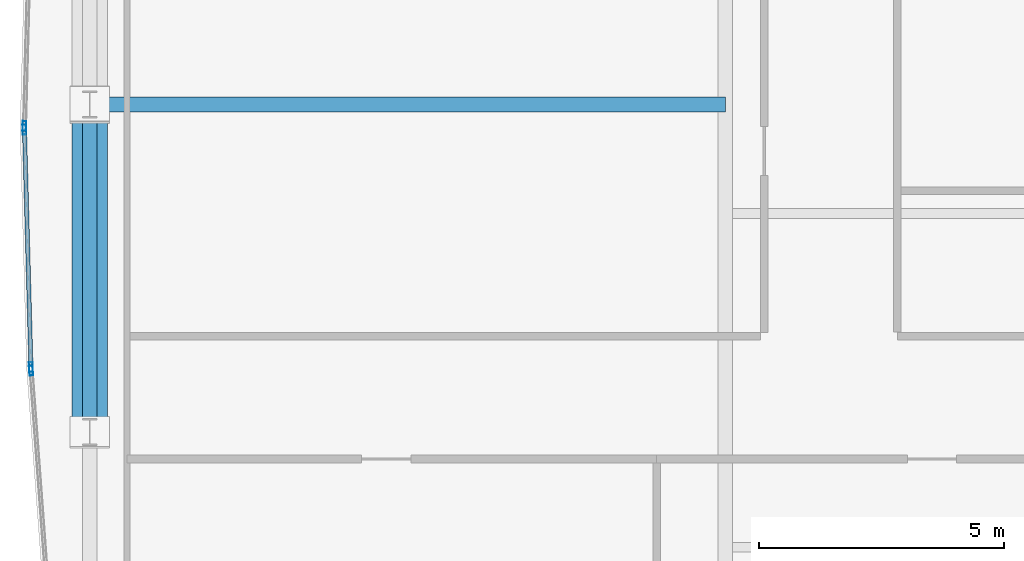
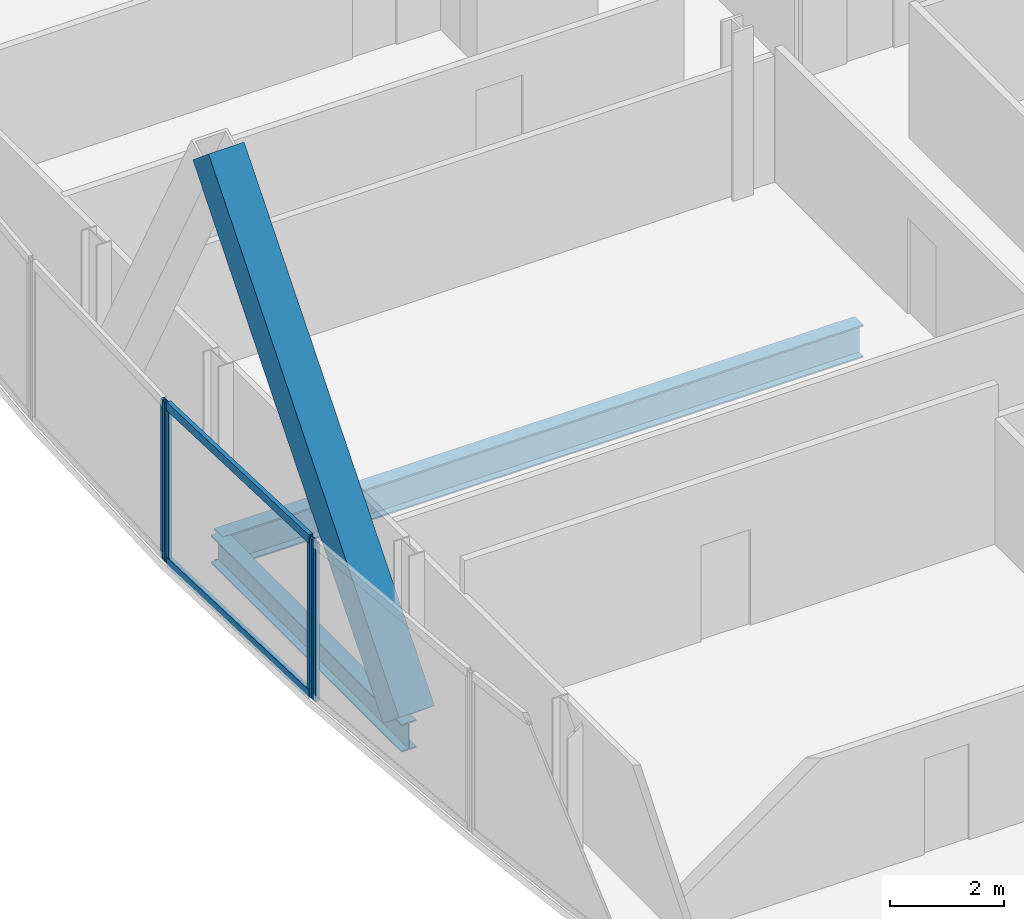
# One storey, part 10 of 29: 7 members, 2 beams, 3 elements without a shape of their own.
"""IFC4 building model written with IfcOpenShell, lengths in metres."""

from ifc_helpers import new_model, si_unit, direction, frame, origin, origin_2d, place, context, subcontext, project, spatial, hollow_rectangle, i_section, extrude, material, material_profile, profile_set, type_object, element, aggregate, save


model = new_model("IFC4")

# Units and contexts
model_context = context("Model", 3, precision=1e-05, world=origin(), true_north=direction((0.0, 1.0)))
body_context = subcontext(model_context, "Body", "Model", "MODEL_VIEW")
ifc_project = project(units=[si_unit("LENGTHUNIT", "METRE"), si_unit("AREAUNIT", "SQUARE_METRE"), si_unit("VOLUMEUNIT", "CUBIC_METRE"), si_unit("PLANEANGLEUNIT", "RADIAN"), si_unit("MASSUNIT", "GRAM", prefix="KILO")], contexts=[model_context])

# Site, building, storey
site_placement = place(None, origin())
site = spatial("IfcSite", under=ifc_project, at=site_placement, CompositionType="ELEMENT")
building_placement = place(site_placement, origin())
building = spatial("IfcBuilding", under=site, at=building_placement, Name="Khoronbel Lancet Exchange", CompositionType="ELEMENT")
storey_placement = place(building_placement, frame((0.0, 0.0, 180.60009765625)))
storey = spatial("IfcBuildingStorey", under=building, at=storey_placement, Name="L45", CompositionType="ELEMENT", Elevation=180.60009765625)

# Beams
ifc_material_1 = material(Name="Steel S355", Category="steel")
ifc_material_profile_1 = material_profile(ifc_material_1, i_section(OverallWidth=0.300048828125, OverallDepth=0.699951171875, WebThickness=0.01708984375, FlangeThickness=0.031982421875, at=origin_2d()), Name="HEB 700")
ifc_profile_set_1 = profile_set([ifc_material_profile_1], Name="Steel S355")
beam_type_1 = type_object("IfcBeamType", Name="BM-BG3", PredefinedType="BEAM", material=ifc_profile_set_1)
beam_1_placement = place(storey_placement, frame((5.27001953125, 31.425048828125, -0.510009765625), z_axis=(1.0, 0.0, 0.0), x_axis=(0.0, 1.0, 0.0)))
element("IfcBeam", 1, at=beam_1_placement, inside=storey, type_object=beam_type_1, Name="Level L45 west lens tie girder LG2W", PredefinedType="BEAM", context=body_context, shape_type="SweptSolid", body=[
    extrude(i_section(OverallWidth=0.300048828125, OverallDepth=0.699951171875, WebThickness=0.01708984375, FlangeThickness=0.031982421875, at=origin_2d()), origin(), (0.0, 0.0, 1.0), 12.955078125),
])
ifc_material_profile_2 = material_profile(ifc_material_1, i_section(OverallWidth=0.300048828125, OverallDepth=0.60009765625, WebThickness=0.015380859375, FlangeThickness=0.030029296875, at=origin_2d()), Name="HEB 600")
ifc_profile_set_2 = profile_set([ifc_material_profile_2], Name="Steel S355")
beam_type_2 = type_object("IfcBeamType", Name="BM-BSP2", PredefinedType="SPANDREL", material=ifc_profile_set_2)
beam_2_placement = place(storey_placement, frame((5.27001953125, 31.425048828125, -0.460205078125), z_axis=(0.0, -1.0, 0.0), x_axis=(1.0, 0.0, 0.0)))
element("IfcBeam", 2, at=beam_2_placement, inside=storey, type_object=beam_type_2, Name="Level L45 perimeter spandrel beam SP19", PredefinedType="SPANDREL", context=body_context, shape_type="SweptSolid", body=[
    extrude(i_section(OverallWidth=0.300048828125, OverallDepth=0.60009765625, WebThickness=0.015380859375, FlangeThickness=0.030029296875, at=origin_2d()), origin(), (0.0, 0.0, 1.0), 6.675048828125),
])

# Curtain wall, member
ifc_material_2 = material(Name="Low-E Solar Control Insulating Glass", Category="glass")
curtain_wall_type = type_object("IfcCurtainWallType", Name="CW-4", PredefinedType="NOTDEFINED", material=ifc_material_2)
curtain_wall_1_placement = place(storey_placement, origin())
curtain_wall_1 = element("IfcCurtainWall", 3, at=curtain_wall_1_placement, inside=storey, type_object=curtain_wall_type, Name="Unitised curtain wall CW-L45-E05", PredefinedType="NOTDEFINED")
ifc_material_3 = material(Name="Bronze-Anodised Aluminium 6063-T6", Category="aluminium")
ifc_material_profile_3 = material_profile(ifc_material_3, hollow_rectangle(XDim=0.074951171875, YDim=0.199951171875, WallThickness=0.0048828125, at=origin_2d()), Name="ALU MULLION 75x200")
ifc_profile_set_3 = profile_set([ifc_material_profile_3], Name="Bronze-Anodised Aluminium 6063-T6")
member_type_1 = type_object("IfcMemberType", Name="MEM-CWM2", PredefinedType="MULLION", material=ifc_profile_set_3)
member_1_placement = place(storey_placement, frame((4.07666015625, 26.00048828125, 0.0), z_axis=(0.0, 0.0, 1.0), x_axis=(-0.99723999443, -0.074245494873, 0.0)))
member_1 = element("IfcMember", 4, at=member_1_placement, type_object=member_type_1, Name="CW4 mullion 2", PredefinedType="MULLION", context=body_context, shape_type="SweptSolid", body=[
    extrude(hollow_rectangle(XDim=0.074951171875, YDim=0.199951171875, WallThickness=0.0048828125, at=origin_2d()), origin(), (0.0, 0.0, 1.0), 3.39990234375),
])
aggregate(curtain_wall_1, [member_1])

# Curtain wall, members
curtain_wall_2_placement = place(storey_placement, origin())
curtain_wall_2 = element("IfcCurtainWall", 5, at=curtain_wall_2_placement, inside=storey, type_object=curtain_wall_type, Name="Unitised curtain wall CW-L45-E06", PredefinedType="NOTDEFINED")
member_2_placement = place(storey_placement, frame((4.072998046875, 26.075439453125, 0.0), z_axis=(0.0, 0.0, 1.0), x_axis=(-0.99962867447, -0.027249094987, 0.0)))
member_2 = element("IfcMember", 6, at=member_2_placement, type_object=member_type_1, Name="CW4 mullion 1", PredefinedType="MULLION", context=body_context, shape_type="SweptSolid", body=[
    extrude(hollow_rectangle(XDim=0.074951171875, YDim=0.199951171875, WallThickness=0.0048828125, at=origin_2d()), origin(), (0.0, 0.0, 1.0), 3.39990234375),
])
member_3_placement = place(storey_placement, frame((3.94091796875, 30.91259765625, 0.0), z_axis=(0.0, 0.0, 1.0), x_axis=(-0.99962867447, -0.027249094987, 0.0)))
member_3 = element("IfcMember", 7, at=member_3_placement, type_object=member_type_1, Name="CW4 mullion 2", PredefinedType="MULLION", context=body_context, shape_type="SweptSolid", body=[
    extrude(hollow_rectangle(XDim=0.074951171875, YDim=0.199951171875, WallThickness=0.0048828125, at=origin_2d()), origin(), (0.0, 0.0, 1.0), 3.39990234375),
])

# Curtain wall, member
curtain_wall_3_placement = place(storey_placement, origin())
curtain_wall_3 = element("IfcCurtainWall", 8, at=curtain_wall_3_placement, inside=storey, type_object=curtain_wall_type, Name="Unitised curtain wall CW-L45-E07", PredefinedType="NOTDEFINED")
member_4_placement = place(storey_placement, frame((3.94091796875, 30.987548828125, 0.0), z_axis=(0.0, 0.0, 1.0), x_axis=(-0.99962867447, 0.027249094987, 0.0)))
member_4 = element("IfcMember", 9, at=member_4_placement, type_object=member_type_1, Name="CW4 mullion 1", PredefinedType="MULLION", context=body_context, shape_type="SweptSolid", body=[
    extrude(hollow_rectangle(XDim=0.074951171875, YDim=0.199951171875, WallThickness=0.0048828125, at=origin_2d()), origin(), (0.0, 0.0, 1.0), 3.39990234375),
])
aggregate(curtain_wall_3, [member_4])

# Member
ifc_material_profile_4 = material_profile(ifc_material_3, hollow_rectangle(XDim=0.0849609375, YDim=0.179931640625, WallThickness=0.0048828125, at=origin_2d()), Name="ALU TRANSOM 85x180")
ifc_profile_set_4 = profile_set([ifc_material_profile_4], Name="Bronze-Anodised Aluminium 6063-T6")
member_type_2 = type_object("IfcMemberType", Name="MEM-CWT1", PredefinedType="USERDEFINED", material=ifc_profile_set_4)
member_5_placement = place(storey_placement, frame((4.07177734375, 26.11279296875, 0.04248046875), z_axis=(-0.027212312017, 0.999629676468, 0.0), x_axis=(-0.999629676468, -0.027212312017, 0.0)))
member_5 = element("IfcMember", 10, at=member_5_placement, type_object=member_type_2, Name="CW4 transom 1.1", ObjectType="TRANSOM", PredefinedType="USERDEFINED", context=body_context, shape_type="SweptSolid", body=[
    extrude(hollow_rectangle(XDim=0.0849609375, YDim=0.179931640625, WallThickness=0.0048828125, at=origin_2d()), origin(), (0.0, 0.0, 1.0), 4.763916015625),
])

member_6_placement = place(storey_placement, frame((4.07177734375, 26.11279296875, 3.357421875), z_axis=(-0.027212312017, 0.999629676468, 0.0), x_axis=(-0.999629676468, -0.027212312017, 0.0)))
member_6 = element("IfcMember", 11, at=member_6_placement, type_object=member_type_2, Name="CW4 transom 1.2", ObjectType="TRANSOM", PredefinedType="USERDEFINED", context=body_context, shape_type="SweptSolid", body=[
    extrude(hollow_rectangle(XDim=0.0849609375, YDim=0.179931640625, WallThickness=0.0048828125, at=origin_2d()), origin(), (0.0, 0.0, 1.0), 4.763916015625),
])

aggregate(curtain_wall_2, [member_2, member_3, member_5, member_6])

ifc_material_4 = material(Name="Steel S460", Category="steel")
ifc_material_profile_5 = material_profile(ifc_material_4, hollow_rectangle(XDim=0.719970703125, YDim=0.719970703125, WallThickness=0.050048828125, at=origin_2d()), Name="BOX 720x720x50")
ifc_profile_set_5 = profile_set([ifc_material_profile_5], Name="Steel S460")
member_type_3 = type_object("IfcMemberType", Name="MEM-MB2", PredefinedType="BRACE", material=ifc_profile_set_5)
member_7_placement = place(storey_placement, frame((5.27001953125, 24.75, 0.0), z_axis=(0.0, 0.640659067021, 0.76782547486), x_axis=(-1.0, 0.0, 0.0)))
element("IfcMember", 12, at=member_7_placement, inside=storey, type_object=member_type_3, Name="Perimeter lancet brace tier 15 W-P-L", PredefinedType="BRACE", context=body_context, shape_type="SweptSolid", body=[
    extrude(hollow_rectangle(XDim=0.719970703125, YDim=0.719970703125, WallThickness=0.050048828125, at=origin_2d()), origin(), (0.0, 0.0, 1.0), 10.4189453125),
])

save(model, "model.ifc")
